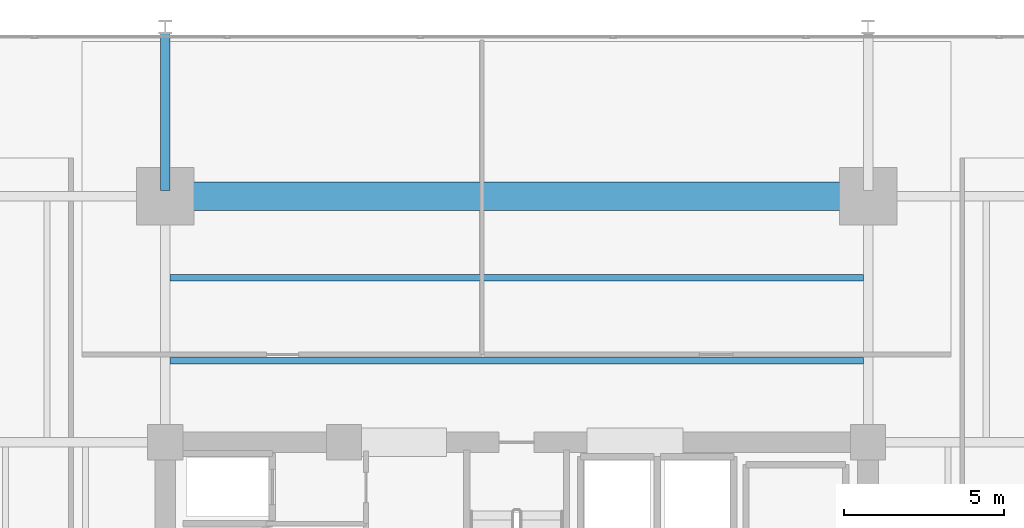
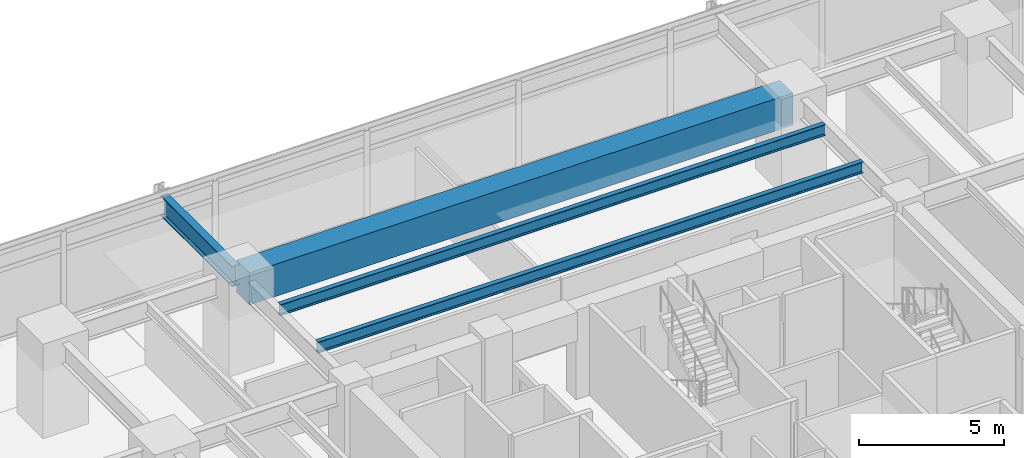
# One storey, part 9 of 21: 4 beams.
"""IFC4 building model written with IfcOpenShell, lengths in metres."""

from ifc_helpers import new_model, si_unit, direction, frame, origin, origin_2d, place, context, subcontext, project, spatial, rectangle, i_section, extrude, material, material_profile, profile_set, type_object, element, save


model = new_model("IFC4")

# Units and contexts
model_context = context("Model", 3, precision=1e-05, world=origin(), true_north=direction((0.0, 1.0)))
body_context = subcontext(model_context, "Body", "Model", "MODEL_VIEW")
ifc_project = project(units=[si_unit("LENGTHUNIT", "METRE"), si_unit("AREAUNIT", "SQUARE_METRE"), si_unit("VOLUMEUNIT", "CUBIC_METRE"), si_unit("PLANEANGLEUNIT", "RADIAN"), si_unit("MASSUNIT", "GRAM", prefix="KILO")], contexts=[model_context])

# Site, building, storey
site_placement = place(None, origin())
site = spatial("IfcSite", under=ifc_project, at=site_placement, CompositionType="ELEMENT")
building_placement = place(site_placement, origin())
building = spatial("IfcBuilding", under=site, at=building_placement, Name="Kovane Verandah Tower", CompositionType="ELEMENT")
storey_placement = place(building_placement, frame((0.0, 0.0, 31.60009765625)))
storey = spatial("IfcBuildingStorey", under=building, at=storey_placement, Name="L06", CompositionType="ELEMENT", Elevation=31.60009765625)

# Beams
ifc_material_1 = material(Name="Concrete C80/95", Category="concrete")
ifc_material_profile_1 = material_profile(ifc_material_1, rectangle(XDim=0.89990234375, YDim=1.35009765625, at=origin_2d()), Name="RCB900x1350")
ifc_profile_set_1 = profile_set([ifc_material_profile_1], Name="Concrete C80/95")
beam_type_1 = type_object("IfcBeamType", Name="BM-TR-900x1350", PredefinedType="BEAM", material=ifc_profile_set_1)
beam_1_placement = place(storey_placement, frame((29.179931640625, 44.199951171875, 3.0849609375), z_axis=(1.0, 0.0, 0.0), x_axis=(0.0, 1.0, 0.0)))
element("IfcBeam", 1, at=beam_1_placement, inside=storey, type_object=beam_type_1, Name="L06 Primary Tower Girder G-RN2", PredefinedType="BEAM", context=body_context, shape_type="SweptSolid", body=[
    extrude(rectangle(XDim=0.89990234375, YDim=1.35009765625, at=origin_2d()), origin(), (0.0, 0.0, 1.0), 21.64013671875),
])
ifc_material_2 = material(Name="Steel S355", Category="steel")
ifc_material_profile_2 = material_profile(ifc_material_2, i_section(OverallWidth=0.293701171875, OverallDepth=0.850830078125, WebThickness=0.01611328125, FlangeThickness=0.02685546875, FilletRadius=0.017822265625, at=origin_2d()), Name="UB838x292x226")
ifc_profile_set_2 = profile_set([ifc_material_profile_2], Name="Steel S355")
beam_type_2 = type_object("IfcBeamType", Name="BM-UB838x226", PredefinedType="BEAM", material=ifc_profile_set_2)
beam_2_placement = place(storey_placement, frame((29.0, 44.3798828125, 3.33447265625), z_axis=(0.0, 1.0, 0.0), x_axis=(-1.0, 0.0, 0.0)))
element("IfcBeam", 2, at=beam_2_placement, inside=storey, type_object=beam_type_2, Name="L06 Primary Tower Girder G-VN1", PredefinedType="BEAM", context=body_context, shape_type="SweptSolid", body=[
    extrude(i_section(OverallWidth=0.293701171875, OverallDepth=0.850830078125, WebThickness=0.01611328125, FlangeThickness=0.02685546875, FilletRadius=0.017822265625, at=origin_2d()), origin(), (0.0, 0.0, 1.0), 4.940185546875),
])
ifc_material_profile_3 = material_profile(ifc_material_2, i_section(OverallWidth=0.19287109375, OverallDepth=0.46728515625, WebThickness=0.011474609375, FlangeThickness=0.01953125, FilletRadius=0.01025390625, at=origin_2d()), Name="UB457x191x98")
ifc_profile_set_3 = profile_set([ifc_material_profile_3], Name="Steel S355")
beam_type_3 = type_object("IfcBeamType", Name="JST-UB457x98", PredefinedType="JOIST", material=ifc_profile_set_3)
for number, where, z_axis, x_axis, name in (
    (3, (29.14501953125, 39.050048828125, 3.5263671875), (1.0, 0.0, 0.0), (0.0, 1.0, 0.0), "L06 Secondary Composite Joist J-N1"),
    (4, (29.14501953125, 41.64990234375, 3.5263671875), (1.0, 0.0, 0.0), (0.0, 1.0, 0.0), "L06 Secondary Composite Joist J-N2"),
):
    element("IfcBeam", number, at=place(storey_placement, frame(where, z_axis=z_axis, x_axis=x_axis)), inside=storey, type_object=beam_type_3, Name=name, PredefinedType="JOIST", context=body_context, shape_type="SweptSolid", body=[
        extrude(i_section(OverallWidth=0.19287109375, OverallDepth=0.46728515625, WebThickness=0.011474609375, FlangeThickness=0.01953125, FilletRadius=0.01025390625, at=origin_2d()), origin(), (0.0, 0.0, 1.0), 21.7099609375),
    ])

save(model, "model.ifc")
